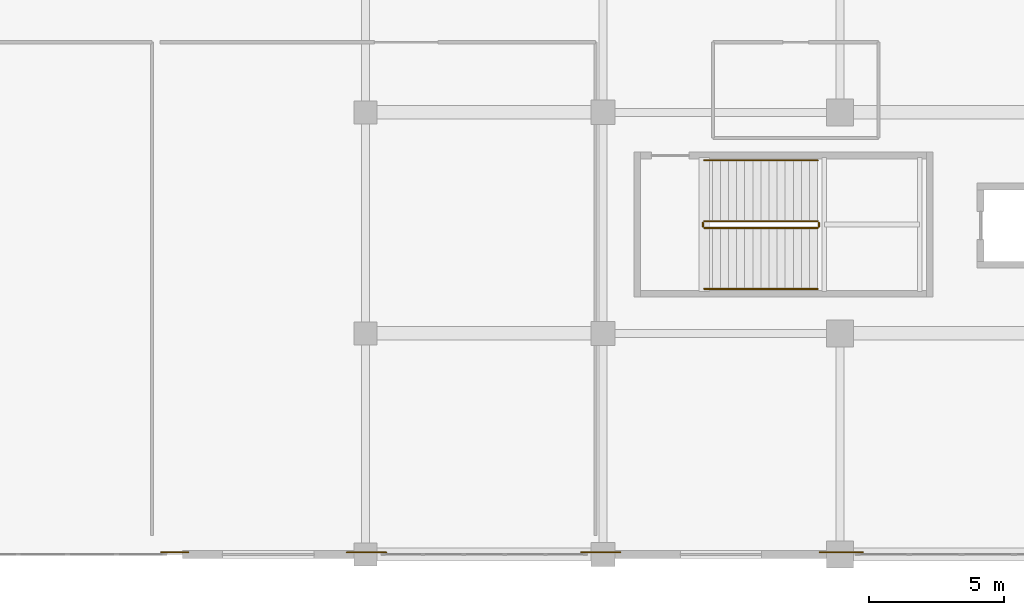
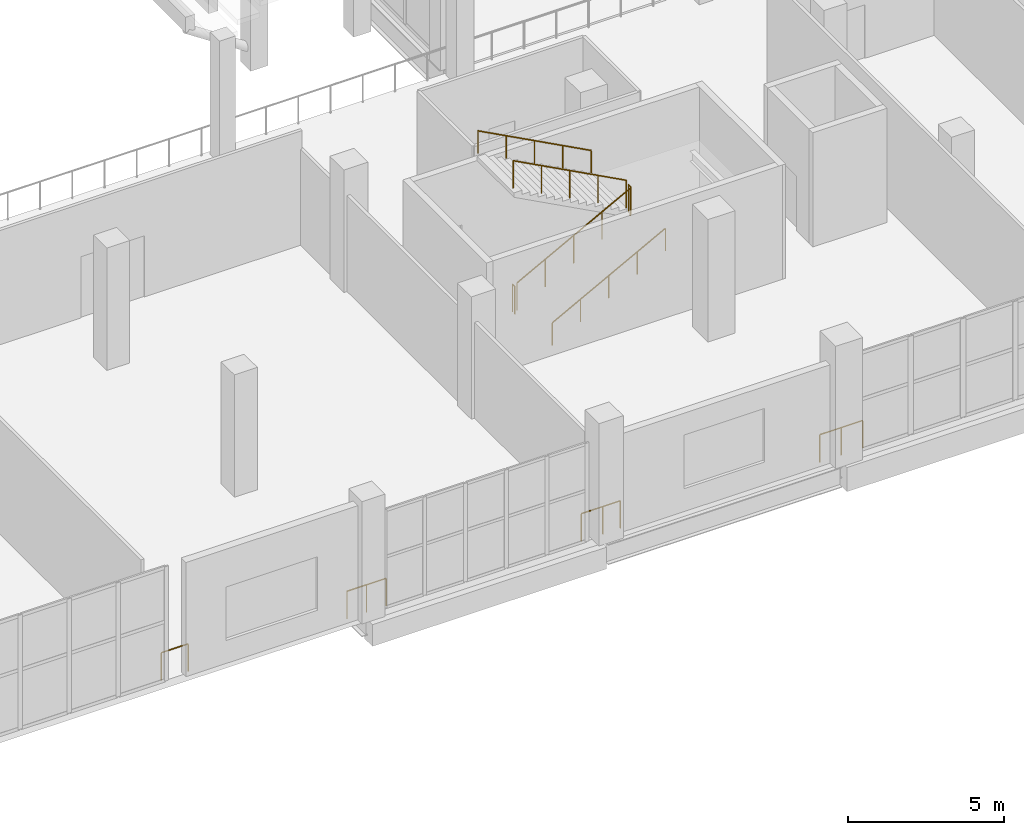
# One storey, part 128 of 142: 11 railings.
"""IFC4 building model written with IfcOpenShell, lengths in metres."""

from ifc_helpers import new_model, si_unit, direction, frame, origin, origin_2d, place, context, subcontext, project, spatial, circle, extrude, material, type_object, element, save


model = new_model("IFC4")

# Units and contexts
model_context = context("Model", 3, precision=1e-05, world=origin(), true_north=direction((0.0, 1.0)))
body_context = subcontext(model_context, "Body", "Model", "MODEL_VIEW")
ifc_project = project(units=[si_unit("LENGTHUNIT", "METRE"), si_unit("AREAUNIT", "SQUARE_METRE"), si_unit("VOLUMEUNIT", "CUBIC_METRE"), si_unit("PLANEANGLEUNIT", "RADIAN"), si_unit("MASSUNIT", "GRAM", prefix="KILO")], contexts=[model_context])

# Site, building, storey
site_placement = place(None, origin())
site = spatial("IfcSite", under=ifc_project, at=site_placement, CompositionType="ELEMENT")
building_placement = place(site_placement, origin())
building = spatial("IfcBuilding", under=site, at=building_placement, Name="Koshinbarg Plaza Stadium", CompositionType="ELEMENT")
storey_placement = place(building_placement, frame((0.0, 0.0, 10.199951171875)))
storey = spatial("IfcBuildingStorey", under=building, at=storey_placement, Name="L02", CompositionType="ELEMENT", Elevation=10.199951171875)

# Railings
ifc_material_1 = material(Name="Toughened laminated glass and stainless steel sightline balustrade", Category="steel")
railing_type_1 = type_object("IfcRailingType", Name="RL-BOWL-1100", PredefinedType="BALUSTRADE", material=ifc_material_1)
railing_1_placement = place(storey_placement, frame((171.60009765625, 0.080078125, 0.0)))
element("IfcRailing", 1, at=railing_1_placement, inside=storey, type_object=railing_type_1, Name="L02 deck edge safety balustrade 0188", PredefinedType="BALUSTRADE", context=body_context, shape_type="SweptSolid", body=[
    extrude(circle(Radius=0.02392578125, at=origin_2d()), frame((0.0, 0.0, 1.076171875), z_axis=(-1.0, 0.0, 0.0), x_axis=(0.0, -1.0, 0.0)), (0.0, 0.0, 1.0), 0.799560546875),
    extrude(circle(Radius=0.02099609375, at=origin_2d()), origin(), (0.0, 0.0, 1.0), 1.052001953125),
    extrude(circle(Radius=0.02099609375, at=origin_2d()), frame((-0.799560546875, 0.0, 0.0)), (0.0, 0.0, 1.0), 1.052001953125),
])
railing_2_placement = place(storey_placement, frame((163.558349609375, 0.080078125, 0.0)))
element("IfcRailing", 2, at=railing_2_placement, inside=storey, type_object=railing_type_1, Name="L02 deck edge safety balustrade 0189", PredefinedType="BALUSTRADE", context=body_context, shape_type="SweptSolid", body=[
    extrude(circle(Radius=0.02392578125, at=origin_2d()), frame((0.0, 0.0, 1.076171875), z_axis=(-1.0, 0.0, 0.0), x_axis=(0.0, -1.0, 0.0)), (0.0, 0.0, 1.0), 1.448974609375),
    extrude(circle(Radius=0.02099609375, at=origin_2d()), origin(), (0.0, 0.0, 1.0), 1.052001953125),
    extrude(circle(Radius=0.02099609375, at=origin_2d()), frame((-0.724609375, 0.0, 0.0)), (0.0, 0.0, 1.0), 1.052001953125),
    extrude(circle(Radius=0.02099609375, at=origin_2d()), frame((-1.448974609375, 0.0, 0.0)), (0.0, 0.0, 1.0), 1.052001953125),
])
railing_3_placement = place(storey_placement, frame((156.2158203125, 0.080078125, 0.0)))
element("IfcRailing", 3, at=railing_3_placement, inside=storey, type_object=railing_type_1, Name="L02 deck edge safety balustrade 0190", PredefinedType="BALUSTRADE", context=body_context, shape_type="SweptSolid", body=[
    extrude(circle(Radius=0.02392578125, at=origin_2d()), frame((0.0, 0.0, 1.076171875), z_axis=(-1.0, 0.0, 0.0), x_axis=(0.0, -1.0, 0.0)), (0.0, 0.0, 1.0), 0.99951171875),
    extrude(circle(Radius=0.02099609375, at=origin_2d()), origin(), (0.0, 0.0, 1.0), 1.052001953125),
    extrude(circle(Radius=0.02099609375, at=origin_2d()), frame((-0.99951171875, 0.0, 0.0)), (0.0, 0.0, 1.0), 1.052001953125),
])
railing_4_placement = place(storey_placement, frame((181.240966796875, 0.080078125, 0.0)))
element("IfcRailing", 4, at=railing_4_placement, inside=storey, type_object=railing_type_1, Name="L02 deck edge safety balustrade 0196", PredefinedType="BALUSTRADE", context=body_context, shape_type="SweptSolid", body=[
    extrude(circle(Radius=0.02392578125, at=origin_2d()), frame((0.0, 0.0, 1.076171875), z_axis=(-1.0, 0.0, 0.0), x_axis=(0.0, -1.0, 0.0)), (0.0, 0.0, 1.0), 1.598876953125),
    extrude(circle(Radius=0.02099609375, at=origin_2d()), origin(), (0.0, 0.0, 1.0), 1.052001953125),
    extrude(circle(Radius=0.02099609375, at=origin_2d()), frame((-0.79931640625, 0.0, 0.0)), (0.0, 0.0, 1.0), 1.052001953125),
    extrude(circle(Radius=0.02099609375, at=origin_2d()), frame((-1.598876953125, 0.0, 0.0)), (0.0, 0.0, 1.0), 1.052001953125),
])
railing_5_placement = place(storey_placement, frame((172.24951171875, 0.080078125, 0.0)))
element("IfcRailing", 5, at=railing_5_placement, inside=storey, type_object=railing_type_1, Name="L02 deck edge safety balustrade 0197", PredefinedType="BALUSTRADE", context=body_context, shape_type="SweptSolid", body=[
    extrude(circle(Radius=0.02392578125, at=origin_2d()), frame((0.0, 0.0, 1.076171875), z_axis=(-1.0, 0.0, 0.0), x_axis=(0.0, -1.0, 0.0)), (0.0, 0.0, 1.0), 0.6494140625),
    extrude(circle(Radius=0.02099609375, at=origin_2d()), origin(), (0.0, 0.0, 1.0), 1.052001953125),
    extrude(circle(Radius=0.02099609375, at=origin_2d()), frame((-0.6494140625, 0.0, 0.0)), (0.0, 0.0, 1.0), 1.052001953125),
])
ifc_material_2 = material(Name="Galvanized painted steel guardrail", Category="steel")
railing_type_2 = type_object("IfcRailingType", Name="RL-GUARD-1100", PredefinedType="GUARDRAIL", material=ifc_material_2)
railing_6_placement = place(storey_placement, frame((175.360107421875, 12.110107421875, 0.16015625)))
element("IfcRailing", 6, at=railing_6_placement, inside=storey, type_object=railing_type_2, Name="L02 C14 stair guard 1", PredefinedType="GUARDRAIL", context=body_context, shape_type="SweptSolid", body=[
    extrude(circle(Radius=0.02392578125, at=origin_2d()), frame((0.0, 0.0, 1.076171875), z_axis=(0.882351521365, 0.0, 0.470590897432), x_axis=(0.0, 1.0, 0.0)), (0.0, 0.0, 1.0), 4.760009765625),
    extrude(circle(Radius=0.02099609375, at=origin_2d()), origin(), (0.0, 0.0, 1.0), 1.052001953125),
    extrude(circle(Radius=0.02099609375, at=origin_2d()), frame((1.050048828125, 0.0, 0.56005859375)), (0.0, 0.0, 1.0), 1.052001953125),
    extrude(circle(Radius=0.02099609375, at=origin_2d()), frame((2.10009765625, 0.0, 1.1201171875)), (0.0, 0.0, 1.0), 1.052001953125),
    extrude(circle(Radius=0.02099609375, at=origin_2d()), frame((3.14990234375, 0.0, 1.679931640625)), (0.0, 0.0, 1.0), 1.052001953125),
    extrude(circle(Radius=0.02099609375, at=origin_2d()), frame((4.199951171875, 0.0, 2.239990234375)), (0.0, 0.0, 1.0), 1.052001953125),
])
railing_7_placement = place(storey_placement, frame((179.610107421875, 12.159912109375, 2.400146484375)))
element("IfcRailing", 7, at=railing_7_placement, inside=storey, type_object=railing_type_2, Name="L02 C14 stair guard 2", PredefinedType="GUARDRAIL", context=body_context, shape_type="SweptSolid", body=[
    extrude(circle(Radius=0.02392578125, at=origin_2d()), frame((0.0, 0.0, 1.076171875), z_axis=(0.0, 1.0, 0.0), x_axis=(-1.0, 0.0, 0.0)), (0.0, 0.0, 1.0), 0.150146484375),
    extrude(circle(Radius=0.02099609375, at=origin_2d()), origin(), (0.0, 0.0, 1.0), 1.052001953125),
    extrude(circle(Radius=0.02099609375, at=origin_2d()), frame((0.0, 0.150146484375, 0.0)), (0.0, 0.0, 1.0), 1.052001953125),
])
railing_8_placement = place(storey_placement, frame((179.56005859375, 12.360107421875, 2.56005859375)))
element("IfcRailing", 8, at=railing_8_placement, inside=storey, type_object=railing_type_2, Name="L02 C14 stair guard 3", PredefinedType="GUARDRAIL", context=body_context, shape_type="SweptSolid", body=[
    extrude(circle(Radius=0.02392578125, at=origin_2d()), frame((0.0, 0.0, 1.076171875), z_axis=(-0.882351521365, 0.0, 0.470590897432), x_axis=(0.0, -1.0, 0.0)), (0.0, 0.0, 1.0), 4.760009765625),
    extrude(circle(Radius=0.02099609375, at=origin_2d()), origin(), (0.0, 0.0, 1.0), 1.052001953125),
    extrude(circle(Radius=0.02099609375, at=origin_2d()), frame((-1.050048828125, 0.0, 0.56005859375)), (0.0, 0.0, 1.0), 1.052001953125),
    extrude(circle(Radius=0.02099609375, at=origin_2d()), frame((-2.10009765625, 0.0, 1.1201171875)), (0.0, 0.0, 1.0), 1.052001953125),
    extrude(circle(Radius=0.02099609375, at=origin_2d()), frame((-3.14990234375, 0.0, 1.679931640625)), (0.0, 0.0, 1.0), 1.052001953125),
    extrude(circle(Radius=0.02099609375, at=origin_2d()), frame((-4.199951171875, 0.0, 2.239990234375)), (0.0, 0.0, 1.0), 1.052001953125),
])
railing_9_placement = place(storey_placement, frame((175.31005859375, 12.159912109375, 0.0)))
element("IfcRailing", 9, at=railing_9_placement, inside=storey, type_object=railing_type_2, Name="L02 C14 stair guard 4", PredefinedType="GUARDRAIL", context=body_context, shape_type="SweptSolid", body=[
    extrude(circle(Radius=0.02392578125, at=origin_2d()), frame((0.0, 0.0, 1.076171875), z_axis=(0.0, 1.0, 0.0), x_axis=(-1.0, 0.0, 0.0)), (0.0, 0.0, 1.0), 0.150146484375),
    extrude(circle(Radius=0.02099609375, at=origin_2d()), origin(), (0.0, 0.0, 1.0), 1.052001953125),
    extrude(circle(Radius=0.02099609375, at=origin_2d()), frame((0.0, 0.150146484375, 0.0)), (0.0, 0.0, 1.0), 1.052001953125),
])
ifc_material_3 = material(Name="Brushed stainless steel handrail", Category="steel")
railing_type_3 = type_object("IfcRailingType", Name="RL-HAND-900", PredefinedType="HANDRAIL", material=ifc_material_3)
railing_10_placement = place(storey_placement, frame((175.360107421875, 9.85009765625, 0.16015625)))
element("IfcRailing", 10, at=railing_10_placement, inside=storey, type_object=railing_type_3, Name="L02 C14 stair handrail 1", PredefinedType="HANDRAIL", context=body_context, shape_type="SweptSolid", body=[
    extrude(circle(Radius=0.02392578125, at=origin_2d()), frame((0.0, 0.0, 0.8759765625), z_axis=(0.882351521365, 0.0, 0.470590897432), x_axis=(0.0, 1.0, 0.0)), (0.0, 0.0, 1.0), 4.760009765625),
    extrude(circle(Radius=0.02099609375, at=origin_2d()), origin(), (0.0, 0.0, 1.0), 0.851806640625),
    extrude(circle(Radius=0.02099609375, at=origin_2d()), frame((1.050048828125, 0.0, 0.56005859375)), (0.0, 0.0, 1.0), 0.851806640625),
    extrude(circle(Radius=0.02099609375, at=origin_2d()), frame((2.10009765625, 0.0, 1.1201171875)), (0.0, 0.0, 1.0), 0.851806640625),
    extrude(circle(Radius=0.02099609375, at=origin_2d()), frame((3.14990234375, 0.0, 1.679931640625)), (0.0, 0.0, 1.0), 0.851806640625),
    extrude(circle(Radius=0.02099609375, at=origin_2d()), frame((4.199951171875, 0.0, 2.239990234375)), (0.0, 0.0, 1.0), 0.851806640625),
])
railing_11_placement = place(storey_placement, frame((179.56005859375, 14.6201171875, 2.56005859375)))
element("IfcRailing", 11, at=railing_11_placement, inside=storey, type_object=railing_type_3, Name="L02 C14 stair handrail 2", PredefinedType="HANDRAIL", context=body_context, shape_type="SweptSolid", body=[
    extrude(circle(Radius=0.02392578125, at=origin_2d()), frame((0.0, 0.0, 0.8759765625), z_axis=(-0.882351521365, 0.0, 0.470590897432), x_axis=(0.0, -1.0, 0.0)), (0.0, 0.0, 1.0), 4.760009765625),
    extrude(circle(Radius=0.02099609375, at=origin_2d()), origin(), (0.0, 0.0, 1.0), 0.851806640625),
    extrude(circle(Radius=0.02099609375, at=origin_2d()), frame((-1.050048828125, 0.0, 0.56005859375)), (0.0, 0.0, 1.0), 0.851806640625),
    extrude(circle(Radius=0.02099609375, at=origin_2d()), frame((-2.10009765625, 0.0, 1.1201171875)), (0.0, 0.0, 1.0), 0.851806640625),
    extrude(circle(Radius=0.02099609375, at=origin_2d()), frame((-3.14990234375, 0.0, 1.679931640625)), (0.0, 0.0, 1.0), 0.851806640625),
    extrude(circle(Radius=0.02099609375, at=origin_2d()), frame((-4.199951171875, 0.0, 2.239990234375)), (0.0, 0.0, 1.0), 0.851806640625),
])

save(model, "model.ifc")
